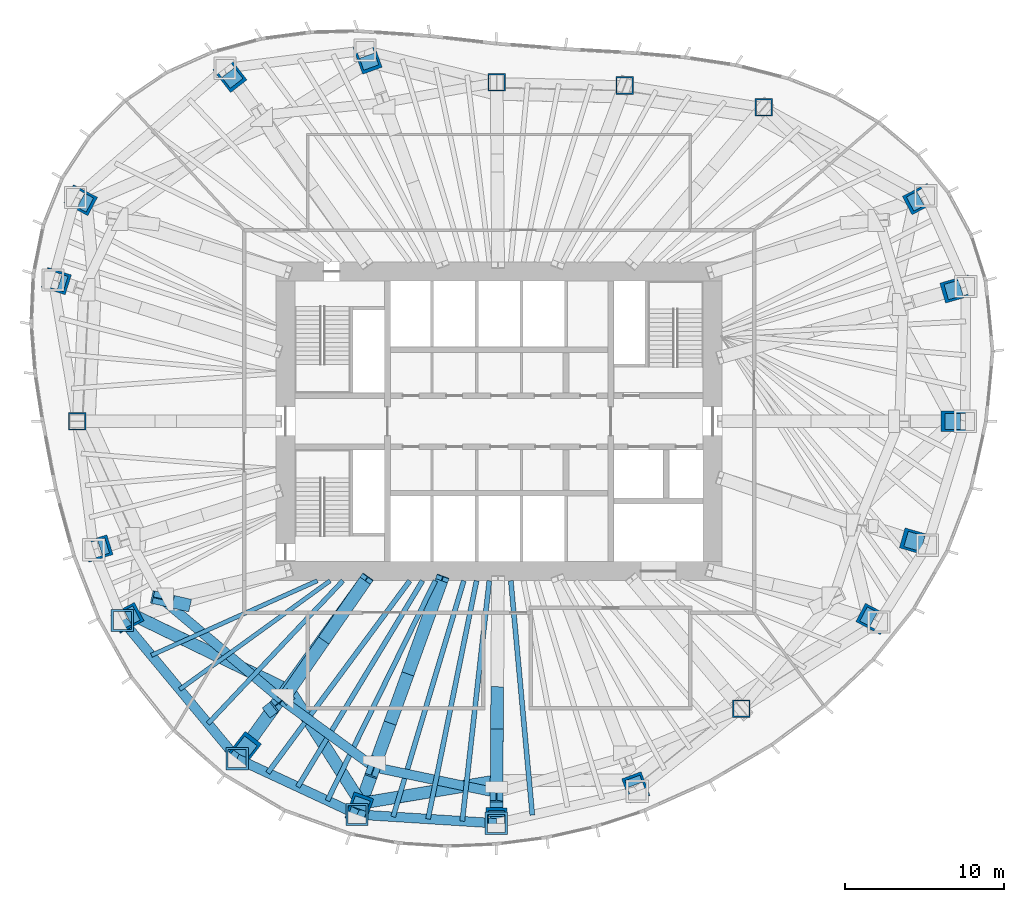
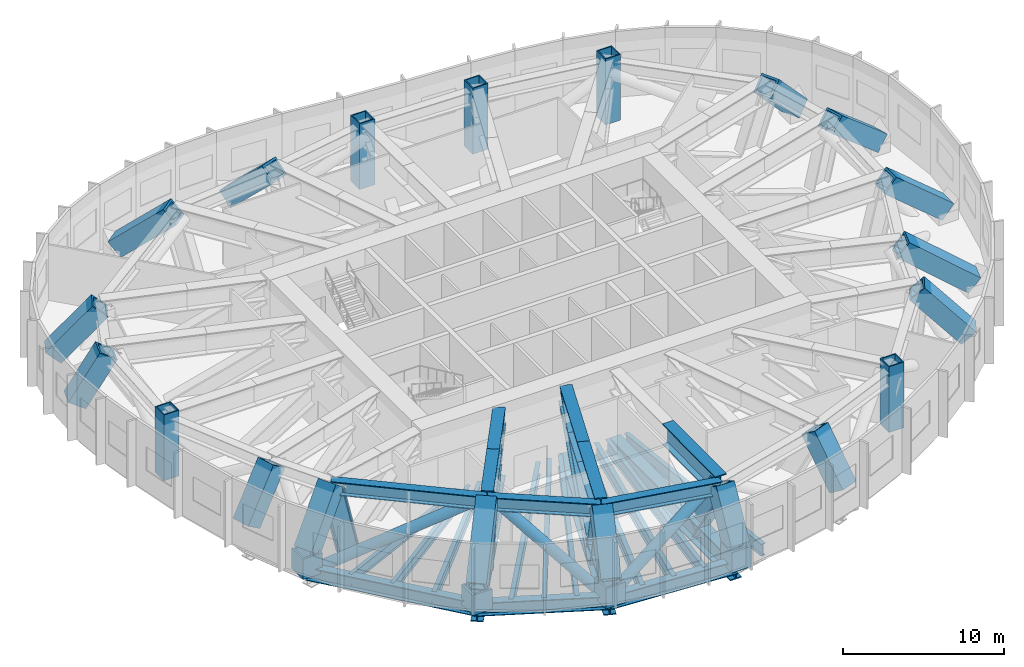
# One storey, part 1 of 12: 24 members, 20 columns, 13 beams.
"""IFC4 building model written with IfcOpenShell, lengths in metres."""

from ifc_helpers import new_model, si_unit, direction, frame, origin, origin_2d, place, context, subcontext, project, spatial, hollow_rectangle, hollow_circle, i_section, extrude, material, material_profile, profile_set, type_object, element, save


model = new_model("IFC4")

# Units and contexts
model_context = context("Model", 3, precision=1e-05, world=origin(), true_north=direction((0.0, 1.0)))
body_context = subcontext(model_context, "Body", "Model", "MODEL_VIEW")
ifc_project = project(units=[si_unit("LENGTHUNIT", "METRE"), si_unit("AREAUNIT", "SQUARE_METRE"), si_unit("VOLUMEUNIT", "CUBIC_METRE"), si_unit("PLANEANGLEUNIT", "RADIAN"), si_unit("MASSUNIT", "GRAM", prefix="KILO")], contexts=[model_context])

# Site, building, storey
site_placement = place(None, origin())
site = spatial("IfcSite", under=ifc_project, at=site_placement, CompositionType="ELEMENT")
building_placement = place(site_placement, origin())
building = spatial("IfcBuilding", under=site, at=building_placement, Name="Ghaith Harvest Tower", CompositionType="ELEMENT")
storey_placement = place(building_placement, frame((0.0, 0.0, 189.800048828125)))
storey = spatial("IfcBuildingStorey", under=building, at=storey_placement, Name="L41", CompositionType="ELEMENT", Elevation=189.800048828125)

# Columns
ifc_material_1 = material(Name="Steel S460M", Category="steel")
ifc_material_profile_1 = material_profile(ifc_material_1, hollow_rectangle(XDim=1.10009765625, YDim=1.10009765625, WallThickness=0.080078125, at=origin_2d()), Name="BOX1100X1100X80")
ifc_profile_set_1 = profile_set([ifc_material_profile_1], Name="Steel S460M")
column_type_1 = type_object("IfcColumnType", Name="TS3 BOX1100X1100X80", PredefinedType="COLUMN", material=ifc_profile_set_1)
for number, where, z_axis, x_axis, name in (
    (1, (16.60791015625, 19.695068359375, 0.0), (0.0, 0.0, 1.0), (1.0, 0.0, 0.0), "Perimeter column C04"),
    (2, (7.8779296875, 21.072021484375, 0.0), (0.0, 0.0, 1.0), (1.0, 0.0, 0.0), "Perimeter column C05"),
    (3, (-0.14599609375, 21.27099609375, 0.0), (0.0, 0.0, 1.0), (1.0, 0.0, 0.0), "Perimeter column C06"),
    (4, (-26.47509765625, 0.0, 0.0), (0.0, 0.0, 1.0), (1.0, 0.0, 0.0), "Perimeter column C11"),
    (5, (15.197998046875, -18.02294921875, 0.0), (0.0, 0.0, 1.0), (1.0, 0.0, 0.0), "Perimeter column C18"),
):
    element("IfcColumn", number, at=place(storey_placement, frame(where, z_axis=z_axis, x_axis=x_axis)), inside=storey, type_object=column_type_1, Name=name, PredefinedType="COLUMN", context=body_context, shape_type="SweptSolid", body=[
        extrude(hollow_rectangle(XDim=1.10009765625, YDim=1.10009765625, WallThickness=0.080078125, at=origin_2d()), origin(), (0.0, 0.0, 1.0), 5.0),
    ])
ifc_material_2 = material(Name="Steel S460M", Category="steel")
ifc_material_profile_2 = material_profile(ifc_material_2, hollow_rectangle(XDim=1.300048828125, YDim=1.300048828125, WallThickness=0.14990234375, at=origin_2d()), Name="BOX1300X1300X150")
ifc_profile_set_2 = profile_set([ifc_material_profile_2], Name="Steel S460M")
column_type_2 = type_object("IfcColumnType", Name="TS8 BOX1300X1300X150", PredefinedType="COLUMN", material=ifc_profile_set_2)
column_1_placement = place(storey_placement, frame((29.259033203125, 0.0, 0.77490234375), z_axis=(-0.767771389369, 0.0, 0.640723882547), x_axis=(0.0, -1.0, 0.0)))
element("IfcColumn", 6, at=column_1_placement, inside=storey, type_object=column_type_2, Name="Raked transfer column C01", PredefinedType="COLUMN", context=body_context, shape_type="SweptSolid", body=[
    extrude(hollow_rectangle(XDim=1.300048828125, YDim=1.300048828125, WallThickness=0.14990234375, at=origin_2d()), origin(), (0.0, 0.0, 1.0), 5.384521484375),
])
column_2_placement = place(storey_placement, frame((29.285888671875, 8.464111328125, 0.77490234375), z_axis=(-0.732679942775, -0.211697678224, 0.64681078724), x_axis=(0.277581506232, -0.960702090868, 0.0)))
element("IfcColumn", 7, at=column_2_placement, inside=storey, type_object=column_type_2, Name="Raked transfer column C02", PredefinedType="COLUMN", context=body_context, shape_type="SweptSolid", body=[
    extrude(hollow_rectangle(XDim=1.300048828125, YDim=1.300048828125, WallThickness=0.14990234375, at=origin_2d()), origin(), (0.0, 0.0, 1.0), 5.333740234375),
])
column_3_placement = place(storey_placement, frame((26.763916015625, 14.14697265625, 0.77490234375), z_axis=(-0.610454698287, -0.322859749878, 0.723261116919), x_axis=(0.467523310698, -0.883980742977, 0.0)))
element("IfcColumn", 8, at=column_3_placement, inside=storey, type_object=column_type_2, Name="Raked transfer column C03", PredefinedType="COLUMN", context=body_context, shape_type="SweptSolid", body=[
    extrude(hollow_rectangle(XDim=1.300048828125, YDim=1.300048828125, WallThickness=0.14990234375, at=origin_2d()), origin(), (0.0, 0.0, 1.0), 4.77001953125),
])
column_4_placement = place(storey_placement, frame((-8.406982421875, 23.27587890625, 0.77490234375), z_axis=(0.241611761805, -0.668489073145, 0.703381913076), x_axis=(0.940458167211, 0.339909452245, 0.0)))
element("IfcColumn", 9, at=column_4_placement, inside=storey, type_object=column_type_2, Name="Raked transfer column C07", PredefinedType="COLUMN", context=body_context, shape_type="SweptSolid", body=[
    extrude(hollow_rectangle(XDim=1.300048828125, YDim=1.300048828125, WallThickness=0.14990234375, at=origin_2d()), origin(), (0.0, 0.0, 1.0), 4.90478515625),
])
column_5_placement = place(storey_placement, frame((-17.201904296875, 22.14990234375, 0.77490234375), z_axis=(0.45057958046, -0.580174027142, 0.678510235665), x_axis=(0.789791964009, 0.613374806775, 0.0)))
element("IfcColumn", 10, at=column_5_placement, inside=storey, type_object=column_type_2, Name="Raked transfer column C08", PredefinedType="COLUMN", context=body_context, shape_type="SweptSolid", body=[
    extrude(hollow_rectangle(XDim=1.300048828125, YDim=1.300048828125, WallThickness=0.14990234375, at=origin_2d()), origin(), (0.0, 0.0, 1.0), 5.084716796875),
])
column_6_placement = place(storey_placement, frame((-26.572998046875, 14.0458984375, 0.77490234375), z_axis=(0.571835223068, -0.302377572183, 0.762608865343), x_axis=(0.467454508187, 0.884017128101, 0.0)))
element("IfcColumn", 11, at=column_6_placement, inside=storey, type_object=column_type_2, Name="Raked transfer column C09", PredefinedType="COLUMN", context=body_context, shape_type="SweptSolid", body=[
    extrude(hollow_rectangle(XDim=1.300048828125, YDim=1.300048828125, WallThickness=0.14990234375, at=origin_2d()), origin(), (0.0, 0.0, 1.0), 4.52392578125),
])
column_7_placement = place(storey_placement, frame((-27.98291015625, 8.867919921875, 0.77490234375), z_axis=(0.47987977607, -0.152010846497, 0.864064872024), x_axis=(0.301980024553, 0.953314252894, 0.0)))
element("IfcColumn", 12, at=column_7_placement, inside=storey, type_object=column_type_2, Name="Raked transfer column C10", PredefinedType="COLUMN", context=body_context, shape_type="SweptSolid", body=[
    extrude(hollow_rectangle(XDim=1.300048828125, YDim=1.300048828125, WallThickness=0.14990234375, at=origin_2d()), origin(), (0.0, 0.0, 1.0), 3.99267578125),
])
column_8_placement = place(storey_placement, frame((-25.43603515625, -8.06103515625, 0.77490234375), z_axis=(0.532011060379, 0.168587610855, 0.829784579936), x_axis=(-0.302082957093, 0.953281640982, 0.0)))
element("IfcColumn", 13, at=column_8_placement, inside=storey, type_object=column_type_2, Name="Raked transfer column C12", PredefinedType="COLUMN", context=body_context, shape_type="SweptSolid", body=[
    extrude(hollow_rectangle(XDim=1.300048828125, YDim=1.300048828125, WallThickness=0.14990234375, at=origin_2d()), origin(), (0.0, 0.0, 1.0), 4.15771484375),
])
column_9_placement = place(storey_placement, frame((-23.635009765625, -12.492919921875, 0.77490234375), z_axis=(0.561775309721, 0.296979749862, 0.772147349642), x_axis=(-0.467358214051, 0.884068040232, 0.0)))
element("IfcColumn", 14, at=column_9_placement, inside=storey, type_object=column_type_2, Name="Raked transfer column C13", PredefinedType="COLUMN", context=body_context, shape_type="SweptSolid", body=[
    extrude(hollow_rectangle(XDim=1.300048828125, YDim=1.300048828125, WallThickness=0.14990234375, at=origin_2d()), origin(), (0.0, 0.0, 1.0), 4.468017578125),
])
column_10_placement = place(storey_placement, frame((-16.43701171875, -21.1640625, 0.77490234375), z_axis=(0.491993120685, 0.633450123943, 0.597230030788), x_axis=(-0.789769123982, 0.613404214857, 0.0)))
element("IfcColumn", 15, at=column_10_placement, inside=storey, type_object=column_type_2, Name="Raked transfer column C14", PredefinedType="COLUMN", context=body_context, shape_type="SweptSolid", body=[
    extrude(hollow_rectangle(XDim=1.300048828125, YDim=1.300048828125, WallThickness=0.14990234375, at=origin_2d()), origin(), (0.0, 0.0, 1.0), 5.776611328125),
])
column_11_placement = place(storey_placement, frame((-8.908935546875, -24.66796875, 0.77490234375), z_axis=(0.229085824863, 0.634829353284, 0.737910141586), x_axis=(-0.940628715181, 0.339437210948, 0.0)))
element("IfcColumn", 16, at=column_11_placement, inside=storey, type_object=column_type_2, Name="Raked transfer column C15", PredefinedType="COLUMN", context=body_context, shape_type="SweptSolid", body=[
    extrude(hollow_rectangle(XDim=1.300048828125, YDim=1.300048828125, WallThickness=0.14990234375, at=origin_2d()), origin(), (0.0, 0.0, 1.0), 4.67529296875),
])
column_12_placement = place(storey_placement, frame((-0.173095703125, -25.22412109375, 0.77490234375), z_axis=(0.003586786789, 0.486133292249, 0.8738773124), x_axis=(-0.999972782222, 0.00737799534, 0.0)))
element("IfcColumn", 17, at=column_12_placement, inside=storey, type_object=column_type_2, Name="Raked transfer column C16", PredefinedType="COLUMN", context=body_context, shape_type="SweptSolid", body=[
    extrude(hollow_rectangle(XDim=1.300048828125, YDim=1.300048828125, WallThickness=0.14990234375, at=origin_2d()), origin(), (0.0, 0.0, 1.0), 3.94775390625),
])
column_13_placement = place(storey_placement, frame((8.674072265625, -23.202880859375, 0.77490234375), z_axis=(-0.192659557226, 0.515649376103, 0.834858081314), x_axis=(-0.936751924653, -0.349994045176, 0.0)))
element("IfcColumn", 18, at=column_13_placement, inside=storey, type_object=column_type_2, Name="Raked transfer column C17", PredefinedType="COLUMN", context=body_context, shape_type="SweptSolid", body=[
    extrude(hollow_rectangle(XDim=1.300048828125, YDim=1.300048828125, WallThickness=0.14990234375, at=origin_2d()), origin(), (0.0, 0.0, 1.0), 4.13232421875),
])
column_14_placement = place(storey_placement, frame((23.825927734375, -12.593994140625, 0.77490234375), z_axis=(-0.603464431444, 0.319030943318, 0.730787203765), x_axis=(-0.46737246298, -0.884060507459, 0.0)))
element("IfcColumn", 19, at=column_14_placement, inside=storey, type_object=column_type_2, Name="Raked transfer column C19", PredefinedType="COLUMN", context=body_context, shape_type="SweptSolid", body=[
    extrude(hollow_rectangle(XDim=1.300048828125, YDim=1.300048828125, WallThickness=0.14990234375, at=origin_2d()), origin(), (0.0, 0.0, 1.0), 4.720947265625),
])
column_15_placement = place(storey_placement, frame((26.8779296875, -7.76806640625, 0.77490234375), z_axis=(-0.766908744303, 0.22155236219, 0.602300198174), x_axis=(-0.277540747952, -0.960713866469, 0.0)))
element("IfcColumn", 20, at=column_15_placement, inside=storey, type_object=column_type_2, Name="Raked transfer column C20", PredefinedType="COLUMN", context=body_context, shape_type="SweptSolid", body=[
    extrude(hollow_rectangle(XDim=1.300048828125, YDim=1.300048828125, WallThickness=0.14990234375, at=origin_2d()), origin(), (0.0, 0.0, 1.0), 5.72802734375),
])

# Members
ifc_material_3 = material(Name="Steel S460", Category="steel")
ifc_material_profile_3 = material_profile(ifc_material_3, i_section(OverallWidth=0.60009765625, OverallDepth=1.0, WebThickness=0.02490234375, FlangeThickness=0.050048828125, at=origin_2d()), Name="PG1000X600X25X50")
ifc_profile_set_3 = profile_set([ifc_material_profile_3], Name="Steel S460")
member_type_1 = type_object("IfcMemberType", Name="BCPG1000-600-25-50 PG1000X600X25X50", PredefinedType="CHORD", material=ifc_profile_set_3)
member_1_placement = place(storey_placement, frame((-21.125, -11.166015625, 4.030029296875), z_axis=(0.765021818761, -0.64400436087, 0.0), x_axis=(0.64400436087, 0.765021818761, 0.0)))
element("IfcMember", 21, at=member_1_placement, inside=storey, type_object=member_type_1, Name="Belt truss BT13 top chord", PredefinedType="CHORD", context=body_context, shape_type="SweptSolid", body=[
    extrude(i_section(OverallWidth=0.60009765625, OverallDepth=1.0, WebThickness=0.02490234375, FlangeThickness=0.050048828125, at=origin_2d()), origin(), (0.0, 0.0, 1.0), 9.8427734375),
])
member_2_placement = place(storey_placement, frame((-13.594970703125, -17.5048828125, 4.030029296875), z_axis=(0.808194782503, -0.588915268553, 0.0), x_axis=(0.588915268553, 0.808194782503, 0.0)))
element("IfcMember", 22, at=member_2_placement, inside=storey, type_object=member_type_1, Name="Belt truss BT14 top chord", PredefinedType="CHORD", context=body_context, shape_type="SweptSolid", body=[
    extrude(i_section(OverallWidth=0.60009765625, OverallDepth=1.0, WebThickness=0.02490234375, FlangeThickness=0.050048828125, at=origin_2d()), origin(), (0.0, 0.0, 1.0), 7.123291015625),
])
member_3_placement = place(storey_placement, frame((-7.837890625, -21.699951171875, 4.030029296875), z_axis=(0.978847910797, -0.20458926543, 0.0), x_axis=(0.20458926543, 0.978847910797, 0.0)))
element("IfcMember", 23, at=member_3_placement, inside=storey, type_object=member_type_1, Name="Belt truss BT15 top chord", PredefinedType="CHORD", context=body_context, shape_type="SweptSolid", body=[
    extrude(i_section(OverallWidth=0.60009765625, OverallDepth=1.0, WebThickness=0.02490234375, FlangeThickness=0.050048828125, at=origin_2d()), origin(), (0.0, 0.0, 1.0), 7.844970703125),
])
ifc_material_4 = material(Name="Steel ASTM A992 Grade 50", Category="steel")
ifc_material_profile_4 = material_profile(ifc_material_4, hollow_circle(Radius=0.381103515625, WallThickness=0.01904296875, at=origin_2d()), Name="HSS762X19.1")
ifc_profile_set_4 = profile_set([ifc_material_profile_4], Name="Steel ASTM A992 Grade 50")
member_type_2 = type_object("IfcMemberType", Name="BD762 HSS762X19.1", PredefinedType="BRACE", material=ifc_profile_set_4)
member_4_placement = place(storey_placement, frame((-22.971923828125, -12.142578125, -1.10009765625), z_axis=(0.814565958312, -0.394991305805, 0.424810743622), x_axis=(0.436318435204, 0.899792322206, 0.0)))
element("IfcMember", 24, at=member_4_placement, inside=storey, type_object=member_type_2, Name="Belt truss BT13 diagonal", PredefinedType="BRACE", context=body_context, shape_type="SweptSolid", body=[
    extrude(hollow_circle(Radius=0.381103515625, WallThickness=0.01904296875, at=origin_2d()), origin(), (0.0, 0.0, 1.0), 12.076171875),
])
member_5_placement = place(storey_placement, frame((-13.135009765625, -16.91259765625, 4.030029296875), z_axis=(0.457077178102, -0.719174939903, -0.523323856778), x_axis=(0.843969428984, 0.536391277838, 0.0)))
element("IfcMember", 25, at=member_5_placement, inside=storey, type_object=member_type_2, Name="Belt truss BT14 diagonal", PredefinedType="BRACE", context=body_context, shape_type="SweptSolid", body=[
    extrude(hollow_circle(Radius=0.381103515625, WallThickness=0.01904296875, at=origin_2d()), origin(), (0.0, 0.0, 1.0), 9.802978515625),
])
member_6_placement = place(storey_placement, frame((-8.654296875, -23.962646484375, -1.10009765625), z_axis=(0.847686377253, 0.140380253066, 0.511586933345), x_axis=(-0.163378844181, 0.986563405602, 0.0)))
element("IfcMember", 26, at=member_6_placement, inside=storey, type_object=member_type_2, Name="Belt truss BT15 diagonal", PredefinedType="BRACE", context=body_context, shape_type="SweptSolid", body=[
    extrude(hollow_circle(Radius=0.381103515625, WallThickness=0.01904296875, at=origin_2d()), origin(), (0.0, 0.0, 1.0), 10.02783203125),
])

# Beams
ifc_material_5 = material(Name="Steel S460", Category="steel")
ifc_material_profile_5 = material_profile(ifc_material_5, i_section(OverallWidth=0.60009765625, OverallDepth=1.0, WebThickness=0.02490234375, FlangeThickness=0.050048828125, at=origin_2d()), Name="PG1000X600X25X50")
ifc_profile_set_5 = profile_set([ifc_material_profile_5], Name="Steel S460")
beam_type_1 = type_object("IfcBeamType", Name="EPG1000 PG1000X600X25X50", PredefinedType="SPANDREL", material=ifc_profile_set_5)
beam_1_placement = place(storey_placement, frame((-23.635009765625, -12.492919921875, -0.800048828125), z_axis=(0.638719320052, -0.769439815835, 0.0), x_axis=(0.769439815835, 0.638719320052, 0.0)))
element("IfcBeam", 27, at=beam_1_placement, inside=storey, type_object=beam_type_1, Name="Edge beam E13 L41", PredefinedType="SPANDREL", context=body_context, shape_type="SweptSolid", body=[
    extrude(i_section(OverallWidth=0.60009765625, OverallDepth=1.0, WebThickness=0.02490234375, FlangeThickness=0.050048828125, at=origin_2d()), origin(), (0.0, 0.0, 1.0), 11.26953125),
])
beam_2_placement = place(storey_placement, frame((-16.43701171875, -21.1640625, -0.800048828125), z_axis=(0.906607079462, -0.421975832802, 0.0), x_axis=(0.421975832802, 0.906607079462, 0.0)))
element("IfcBeam", 28, at=beam_2_placement, inside=storey, type_object=beam_type_1, Name="Edge beam E14 L41", PredefinedType="SPANDREL", context=body_context, shape_type="SweptSolid", body=[
    extrude(i_section(OverallWidth=0.60009765625, OverallDepth=1.0, WebThickness=0.02490234375, FlangeThickness=0.050048828125, at=origin_2d()), origin(), (0.0, 0.0, 1.0), 8.303466796875),
])
beam_3_placement = place(storey_placement, frame((-8.908935546875, -24.66796875, -0.800048828125), z_axis=(0.99797963184, -0.063534671101, 0.0), x_axis=(0.063534671101, 0.99797963184, 0.0)))
element("IfcBeam", 29, at=beam_3_placement, inside=storey, type_object=beam_type_1, Name="Edge beam E15 L41", PredefinedType="SPANDREL", context=body_context, shape_type="SweptSolid", body=[
    extrude(i_section(OverallWidth=0.60009765625, OverallDepth=1.0, WebThickness=0.02490234375, FlangeThickness=0.050048828125, at=origin_2d()), origin(), (0.0, 0.0, 1.0), 8.75341796875),
])
ifc_material_6 = material(Name="Steel ASTM A992 Grade 50", Category="steel")
ifc_material_profile_6 = material_profile(ifc_material_6, i_section(OverallWidth=0.26806640625, OverallDepth=0.77001953125, WebThickness=0.015625, FlangeThickness=0.025390625, at=origin_2d()), Name="W760X196")
ifc_profile_set_6 = profile_set([ifc_material_profile_6], Name="Steel ASTM A992 Grade 50")
beam_type_2 = type_object("IfcBeamType", Name="J760-196 W760X196", PredefinedType="JOIST", material=ifc_profile_set_6)
beam_4_placement = place(storey_placement, frame((-11.39990234375, -10.0, -0.68505859375), z_axis=(-0.912147734774, -0.409861574127, 0.0), x_axis=(0.409861574127, -0.912147734774, 0.0)))
element("IfcBeam", 30, at=beam_4_placement, inside=storey, type_object=beam_type_2, Name="Joist J13.1 L41", PredefinedType="JOIST", context=body_context, shape_type="SweptSolid", body=[
    extrude(i_section(OverallWidth=0.26806640625, OverallDepth=0.77001953125, WebThickness=0.015625, FlangeThickness=0.025390625, at=origin_2d()), origin(), (0.0, 0.0, 1.0), 11.421875),
])
beam_5_placement = place(storey_placement, frame((-10.60009765625, -10.0, -0.68505859375), z_axis=(-0.810452010932, -0.5858050341, 0.0), x_axis=(0.5858050341, -0.810452010932, 0.0)))
element("IfcBeam", 31, at=beam_5_placement, inside=storey, type_object=beam_type_2, Name="Joist J13.2 L41", PredefinedType="JOIST", context=body_context, shape_type="SweptSolid", body=[
    extrude(i_section(OverallWidth=0.26806640625, OverallDepth=0.77001953125, WebThickness=0.015625, FlangeThickness=0.025390625, at=origin_2d()), origin(), (0.0, 0.0, 1.0), 11.64794921875),
])
ifc_material_7 = material(Name="Steel ASTM A992 Grade 50", Category="steel")
ifc_material_profile_7 = material_profile(ifc_material_7, i_section(OverallWidth=0.2939453125, OverallDepth=0.85107421875, WebThickness=0.01611328125, FlangeThickness=0.02685546875, at=origin_2d()), Name="W840X226")
ifc_profile_set_7 = profile_set([ifc_material_profile_7], Name="Steel ASTM A992 Grade 50")
beam_type_3 = type_object("IfcBeamType", Name="J840-226 W840X226", PredefinedType="JOIST", material=ifc_profile_set_7)
beam_6_placement = place(storey_placement, frame((-9.800048828125, -10.0, -0.7255859375), z_axis=(-0.686201843725, -0.727411183354, 0.0), x_axis=(0.727411183354, -0.686201843725, 0.0)))
element("IfcBeam", 32, at=beam_6_placement, inside=storey, type_object=beam_type_3, Name="Joist J13.3 L41", PredefinedType="JOIST", context=body_context, shape_type="SweptSolid", body=[
    extrude(i_section(OverallWidth=0.2939453125, OverallDepth=0.85107421875, WebThickness=0.01611328125, FlangeThickness=0.02685546875, at=origin_2d()), origin(), (0.0, 0.0, 1.0), 12.32861328125),
])
ifc_material_8 = material(Name="Steel ASTM A992 Grade 50", Category="steel")
ifc_material_profile_8 = material_profile(ifc_material_8, i_section(OverallWidth=0.31005859375, OverallDepth=0.927001953125, WebThickness=0.019287109375, FlangeThickness=0.031982421875, at=origin_2d()), Name="W920X289")
ifc_profile_set_8 = profile_set([ifc_material_profile_8], Name="Steel ASTM A992 Grade 50")
beam_type_4 = type_object("IfcBeamType", Name="J920-289 W920X289", PredefinedType="JOIST", material=ifc_profile_set_8)
beam_7_placement = place(storey_placement, frame((-5.60009765625, -10.0, -0.763427734375), z_axis=(-0.59434024765, -0.804213696739, 0.0), x_axis=(0.804213696739, -0.59434024765, 0.0)))
element("IfcBeam", 33, at=beam_7_placement, inside=storey, type_object=beam_type_4, Name="Joist J14.1 L41", PredefinedType="JOIST", context=body_context, shape_type="SweptSolid", body=[
    extrude(i_section(OverallWidth=0.31005859375, OverallDepth=0.927001953125, WebThickness=0.019287109375, FlangeThickness=0.031982421875, at=origin_2d()), origin(), (0.0, 0.0, 1.0), 14.995849609375),
])
beam_8_placement = place(storey_placement, frame((-4.800048828125, -10.0, -0.763427734375), z_axis=(-0.517986442874, -0.855388826791, 0.0), x_axis=(0.855388826791, -0.517986442874, 0.0)))
element("IfcBeam", 34, at=beam_8_placement, inside=storey, type_object=beam_type_4, Name="Joist J14.2 L41", PredefinedType="JOIST", context=body_context, shape_type="SweptSolid", body=[
    extrude(i_section(OverallWidth=0.31005859375, OverallDepth=0.927001953125, WebThickness=0.019287109375, FlangeThickness=0.031982421875, at=origin_2d()), origin(), (0.0, 0.0, 1.0), 15.12158203125),
])
beam_9_placement = place(storey_placement, frame((-4.0, -10.0, -0.763427734375), z_axis=(-0.440562898219, -0.897721745706, 0.0), x_axis=(0.897721745706, -0.440562898219, 0.0)))
element("IfcBeam", 35, at=beam_9_placement, inside=storey, type_object=beam_type_4, Name="Joist J14.3 L41", PredefinedType="JOIST", context=body_context, shape_type="SweptSolid", body=[
    extrude(i_section(OverallWidth=0.31005859375, OverallDepth=0.927001953125, WebThickness=0.019287109375, FlangeThickness=0.031982421875, at=origin_2d()), origin(), (0.0, 0.0, 1.0), 15.372802734375),
])
beam_10_placement = place(storey_placement, frame((-2.2119140625, -10.0, -0.763427734375), z_axis=(-0.286710402159, -0.958017299058, 0.0), x_axis=(0.958017299058, -0.286710402159, 0.0)))
element("IfcBeam", 36, at=beam_10_placement, inside=storey, type_object=beam_type_4, Name="Joist J15.1 L41", PredefinedType="JOIST", context=body_context, shape_type="SweptSolid", body=[
    extrude(i_section(OverallWidth=0.31005859375, OverallDepth=0.927001953125, WebThickness=0.019287109375, FlangeThickness=0.031982421875, at=origin_2d()), origin(), (0.0, 0.0, 1.0), 15.461181640625),
])
beam_11_placement = place(storey_placement, frame((-1.411865234375, -10.0, -0.763427734375), z_axis=(-0.199496654065, -0.979898507508, 0.0), x_axis=(0.979898507508, -0.199496654065, 0.0)))
element("IfcBeam", 37, at=beam_11_placement, inside=storey, type_object=beam_type_4, Name="Joist J15.2 L41", PredefinedType="JOIST", context=body_context, shape_type="SweptSolid", body=[
    extrude(i_section(OverallWidth=0.31005859375, OverallDepth=0.927001953125, WebThickness=0.019287109375, FlangeThickness=0.031982421875, at=origin_2d()), origin(), (0.0, 0.0, 1.0), 15.258056640625),
])
beam_12_placement = place(storey_placement, frame((-0.61181640625, -10.0, -0.763427734375), z_axis=(-0.111786833643, -0.993732209312, 0.0), x_axis=(0.993732209312, -0.111786833643, 0.0)))
element("IfcBeam", 38, at=beam_12_placement, inside=storey, type_object=beam_type_4, Name="Joist J15.3 L41", PredefinedType="JOIST", context=body_context, shape_type="SweptSolid", body=[
    extrude(i_section(OverallWidth=0.31005859375, OverallDepth=0.927001953125, WebThickness=0.019287109375, FlangeThickness=0.031982421875, at=origin_2d()), origin(), (0.0, 0.0, 1.0), 15.18310546875),
])
beam_13_placement = place(storey_placement, frame((0.73828125, -10.0, -0.763427734375), z_axis=(0.091379298998, -0.995816159597, 0.0), x_axis=(0.995816159597, 0.091379298998, 0.0)))
element("IfcBeam", 39, at=beam_13_placement, inside=storey, type_object=beam_type_4, Name="Joist J16.1 L41", PredefinedType="JOIST", context=body_context, shape_type="SweptSolid", body=[
    extrude(i_section(OverallWidth=0.31005859375, OverallDepth=0.927001953125, WebThickness=0.019287109375, FlangeThickness=0.031982421875, at=origin_2d()), origin(), (0.0, 0.0, 1.0), 14.769287109375),
])

# Members
ifc_material_9 = material(Name="Steel S690QL", Category="steel")
ifc_material_profile_9 = material_profile(ifc_material_9, hollow_rectangle(XDim=1.39990234375, YDim=1.39990234375, WallThickness=0.139892578125, at=origin_2d()), Name="BOX1400X1400X140")
ifc_profile_set_9 = profile_set([ifc_material_profile_9], Name="Steel S690QL")
member_type_3 = type_object("IfcMemberType", Name="KN2 BOX1400X1400X140", PredefinedType="USERDEFINED", material=ifc_profile_set_9)
for number, where, z_axis, x_axis, name in (
    (40, (-23.635009765625, -12.492919921875, -0.775146484375), (0.0, 0.0, 1.0), (1.0, 0.0, 0.0), "Raked column kink node C13 base L41"),
    (41, (-16.43701171875, -21.1640625, -0.775146484375), (0.0, 0.0, 1.0), (1.0, 0.0, 0.0), "Raked column kink node C14 base L41"),
    (42, (-8.908935546875, -24.66796875, -0.775146484375), (0.0, 0.0, 1.0), (1.0, 0.0, 0.0), "Raked column kink node C15 base L41"),
    (43, (-0.173095703125, -25.22412109375, -0.775146484375), (0.0, 0.0, 1.0), (1.0, 0.0, 0.0), "Raked column kink node C16 base L41"),
):
    element("IfcMember", number, at=place(storey_placement, frame(where, z_axis=z_axis, x_axis=x_axis)), inside=storey, type_object=member_type_3, Name=name, ObjectType="KINK NODE", PredefinedType="USERDEFINED", context=body_context, shape_type="SweptSolid", body=[
        extrude(hollow_rectangle(XDim=1.39990234375, YDim=1.39990234375, WallThickness=0.139892578125, at=origin_2d()), origin(), (0.0, 0.0, 1.0), 1.550048828125),
    ])
ifc_material_10 = material(Name="Steel S460", Category="steel")
ifc_material_profile_10 = material_profile(ifc_material_10, i_section(OverallWidth=0.800048828125, OverallDepth=1.60009765625, WebThickness=0.0400390625, FlangeThickness=0.080078125, at=origin_2d()), Name="PG1600X800X40X80")
ifc_profile_set_10 = profile_set([ifc_material_profile_10], Name="Steel S460")
member_type_4 = type_object("IfcMemberType", Name="OC1600 PG1600X800X40X80", PredefinedType="CHORD", material=ifc_profile_set_10)
member_7_placement = place(storey_placement, frame((-8.39990234375, -10.0, -1.10009765625), z_axis=(-0.584256100809, -0.811569349265, 0.0), x_axis=(0.811569349265, -0.584256100809, 0.0)))
element("IfcMember", 44, at=member_7_placement, inside=storey, type_object=member_type_4, Name="Outrigger truss OT14 bottom chord", PredefinedType="CHORD", context=body_context, shape_type="SweptSolid", body=[
    extrude(i_section(OverallWidth=0.800048828125, OverallDepth=1.60009765625, WebThickness=0.0400390625, FlangeThickness=0.080078125, at=origin_2d()), origin(), (0.0, 0.0, 1.0), 13.756103515625),
])
for number, where, z_axis, x_axis, name in (
    (45, (-8.39990234375, -10.0, 4.030029296875), (-0.569182161331, -0.822211449216, 0.0), (0.822211449216, -0.569182161331, 0.0), "Outrigger truss OT14 top chord 1"),
    (46, (-10.99755859375, -13.75244140625, 4.030029296875), (-0.56914599566, -0.822236484002, 0.0), (0.822236484002, -0.56914599566, 0.0), "Outrigger truss OT14 top chord 2"),
):
    element("IfcMember", number, at=place(storey_placement, frame(where, z_axis=z_axis, x_axis=x_axis)), inside=storey, type_object=member_type_4, Name=name, PredefinedType="CHORD", context=body_context, shape_type="SweptSolid", body=[
        extrude(i_section(OverallWidth=0.800048828125, OverallDepth=1.60009765625, WebThickness=0.0400390625, FlangeThickness=0.080078125, at=origin_2d()), origin(), (0.0, 0.0, 1.0), 4.563720703125),
    ])
member_8_placement = place(storey_placement, frame((-3.61181640625, -10.0, -1.10009765625), z_axis=(-0.339664467784, -0.940546675782, 0.0), x_axis=(0.940546675782, -0.339664467784, 0.0)))
element("IfcMember", 47, at=member_8_placement, inside=storey, type_object=member_type_4, Name="Outrigger truss OT15 bottom chord", PredefinedType="CHORD", context=body_context, shape_type="SweptSolid", body=[
    extrude(i_section(OverallWidth=0.800048828125, OverallDepth=1.60009765625, WebThickness=0.0400390625, FlangeThickness=0.080078125, at=origin_2d()), origin(), (0.0, 0.0, 1.0), 15.59521484375),
])
member_9_placement = place(storey_placement, frame((-3.61181640625, -10.0, 4.030029296875), z_axis=(-0.339715837668, -0.940528122726, 0.0), x_axis=(0.940528122726, -0.339715837668, 0.0)))
element("IfcMember", 48, at=member_9_placement, inside=storey, type_object=member_type_4, Name="Outrigger truss OT15 top chord 1", PredefinedType="CHORD", context=body_context, shape_type="SweptSolid", body=[
    extrude(i_section(OverallWidth=0.800048828125, OverallDepth=1.60009765625, WebThickness=0.0400390625, FlangeThickness=0.080078125, at=origin_2d()), origin(), (0.0, 0.0, 1.0), 6.219970703125),
])
member_10_placement = place(storey_placement, frame((-5.724853515625, -15.85009765625, 4.030029296875), z_axis=(-0.33972837922, -0.940523592661, 0.0), x_axis=(0.940523592661, -0.33972837922, 0.0)))
element("IfcMember", 49, at=member_10_placement, inside=storey, type_object=member_type_4, Name="Outrigger truss OT15 top chord 2", PredefinedType="CHORD", context=body_context, shape_type="SweptSolid", body=[
    extrude(i_section(OverallWidth=0.800048828125, OverallDepth=1.60009765625, WebThickness=0.0400390625, FlangeThickness=0.080078125, at=origin_2d()), origin(), (0.0, 0.0, 1.0), 6.2197265625),
])
member_11_placement = place(storey_placement, frame((-0.068359375, -10.0, -1.10009765625), z_axis=(-0.006879467722, -0.999976336182, 0.0), x_axis=(0.999976336182, -0.006879467722, 0.0)))
element("IfcMember", 50, at=member_11_placement, inside=storey, type_object=member_type_4, Name="Outrigger truss OT16 bottom chord", PredefinedType="CHORD", context=body_context, shape_type="SweptSolid", body=[
    extrude(i_section(OverallWidth=0.800048828125, OverallDepth=1.60009765625, WebThickness=0.0400390625, FlangeThickness=0.080078125, at=origin_2d()), origin(), (0.0, 0.0, 1.0), 15.224365234375),
])
member_12_placement = place(storey_placement, frame((-0.11376953125, -16.652587890625, 4.030029296875), z_axis=(-0.006789332654, -0.999976952215, 0.0), x_axis=(0.999976952215, -0.006789332654, 0.0)))
element("IfcMember", 51, at=member_12_placement, inside=storey, type_object=member_type_4, Name="Outrigger truss OT16 top chord 2", PredefinedType="CHORD", context=body_context, shape_type="SweptSolid", body=[
    extrude(i_section(OverallWidth=0.800048828125, OverallDepth=1.60009765625, WebThickness=0.0400390625, FlangeThickness=0.080078125, at=origin_2d()), origin(), (0.0, 0.0, 1.0), 6.652587890625),
])
ifc_material_11 = material(Name="Steel S460", Category="steel")
ifc_material_profile_11 = material_profile(ifc_material_11, i_section(OverallWidth=0.800048828125, OverallDepth=1.39990234375, WebThickness=0.050048828125, FlangeThickness=0.10009765625, at=origin_2d()), Name="PG1400X800X50X100")
ifc_profile_set_11 = profile_set([ifc_material_profile_11], Name="Steel S460")
member_type_5 = type_object("IfcMemberType", Name="OD1400 PG1400X800X50X100", PredefinedType="BRACE", material=ifc_profile_set_11)
member_13_placement = place(storey_placement, frame((-20.052734375, -11.410400390625, -1.10009765625), z_axis=(-0.204370203607, 0.046578910248, 0.977784856192), x_axis=(-0.222215953824, -0.974997471723, 0.0)))
element("IfcMember", 52, at=member_13_placement, inside=storey, type_object=member_type_5, Name="Outrigger truss OT13 diagonal 2", PredefinedType="BRACE", context=body_context, shape_type="SweptSolid", body=[
    extrude(i_section(OverallWidth=0.800048828125, OverallDepth=1.39990234375, WebThickness=0.050048828125, FlangeThickness=0.10009765625, at=origin_2d()), origin(), (0.0, 0.0, 1.0), 5.24658203125),
])
member_14_placement = place(storey_placement, frame((-8.39990234375, -10.0, 4.030029296875), z_axis=(-0.516498011055, -0.717442387567, -0.46744649437), x_axis=(0.811566796296, -0.584259647031, 0.0)))
element("IfcMember", 53, at=member_14_placement, inside=storey, type_object=member_type_5, Name="Outrigger truss OT14 diagonal 1", PredefinedType="BRACE", context=body_context, shape_type="SweptSolid", body=[
    extrude(i_section(OverallWidth=0.800048828125, OverallDepth=1.39990234375, WebThickness=0.050048828125, FlangeThickness=0.10009765625, at=origin_2d()), origin(), (0.0, 0.0, 1.0), 10.974853515625),
])
member_15_placement = place(storey_placement, frame((-14.068359375, -17.873779296875, -1.10009765625), z_axis=(0.091651188558, 0.071420807587, 0.993226624633), x_axis=(-0.614672586723, 0.788782359799, 0.0)))
element("IfcMember", 54, at=member_15_placement, inside=storey, type_object=member_type_5, Name="Outrigger truss OT14 diagonal 2", PredefinedType="BRACE", context=body_context, shape_type="SweptSolid", body=[
    extrude(i_section(OverallWidth=0.800048828125, OverallDepth=1.39990234375, WebThickness=0.050048828125, FlangeThickness=0.10009765625, at=origin_2d()), origin(), (0.0, 0.0, 1.0), 5.1650390625),
])
member_16_placement = place(storey_placement, frame((-3.61181640625, -10.0, 4.030029296875), z_axis=(-0.303062683081, -0.839197610414, -0.45155329785), x_axis=(0.940547060495, -0.339663402493, 0.0)))
element("IfcMember", 55, at=member_16_placement, inside=storey, type_object=member_type_5, Name="Outrigger truss OT15 diagonal 1", PredefinedType="BRACE", context=body_context, shape_type="SweptSolid", body=[
    extrude(i_section(OverallWidth=0.800048828125, OverallDepth=1.39990234375, WebThickness=0.050048828125, FlangeThickness=0.10009765625, at=origin_2d()), origin(), (0.0, 0.0, 1.0), 11.361083984375),
])
member_17_placement = place(storey_placement, frame((-7.054931640625, -19.5341796875, -1.10009765625), z_axis=(-0.139234148495, -0.385140670813, 0.912294094894), x_axis=(0.940432486666, -0.339980496532, 0.0)))
element("IfcMember", 56, at=member_17_placement, inside=storey, type_object=member_type_5, Name="Outrigger truss OT15 diagonal 2", PredefinedType="BRACE", context=body_context, shape_type="SweptSolid", body=[
    extrude(i_section(OverallWidth=0.800048828125, OverallDepth=1.39990234375, WebThickness=0.050048828125, FlangeThickness=0.10009765625, at=origin_2d()), origin(), (0.0, 0.0, 1.0), 5.623291015625),
])
member_18_placement = place(storey_placement, frame((-0.136474609375, -19.8955078125, -1.10009765625), z_axis=(-0.003646386881, -0.553497747723, 0.832842690505), x_axis=(0.999978300504, -0.006587755363, 0.0)))
element("IfcMember", 57, at=member_18_placement, inside=storey, type_object=member_type_5, Name="Outrigger truss OT16 diagonal 2", PredefinedType="BRACE", context=body_context, shape_type="SweptSolid", body=[
    extrude(i_section(OverallWidth=0.800048828125, OverallDepth=1.39990234375, WebThickness=0.050048828125, FlangeThickness=0.10009765625, at=origin_2d()), origin(), (0.0, 0.0, 1.0), 6.15966796875),
])

save(model, "model.ifc")
